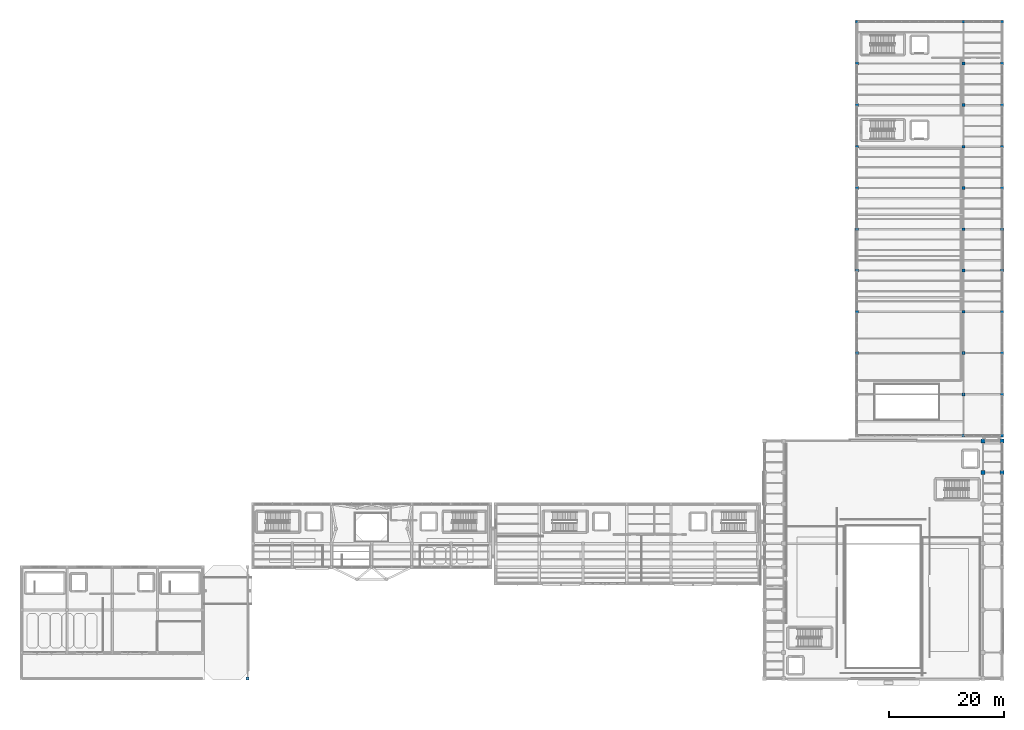
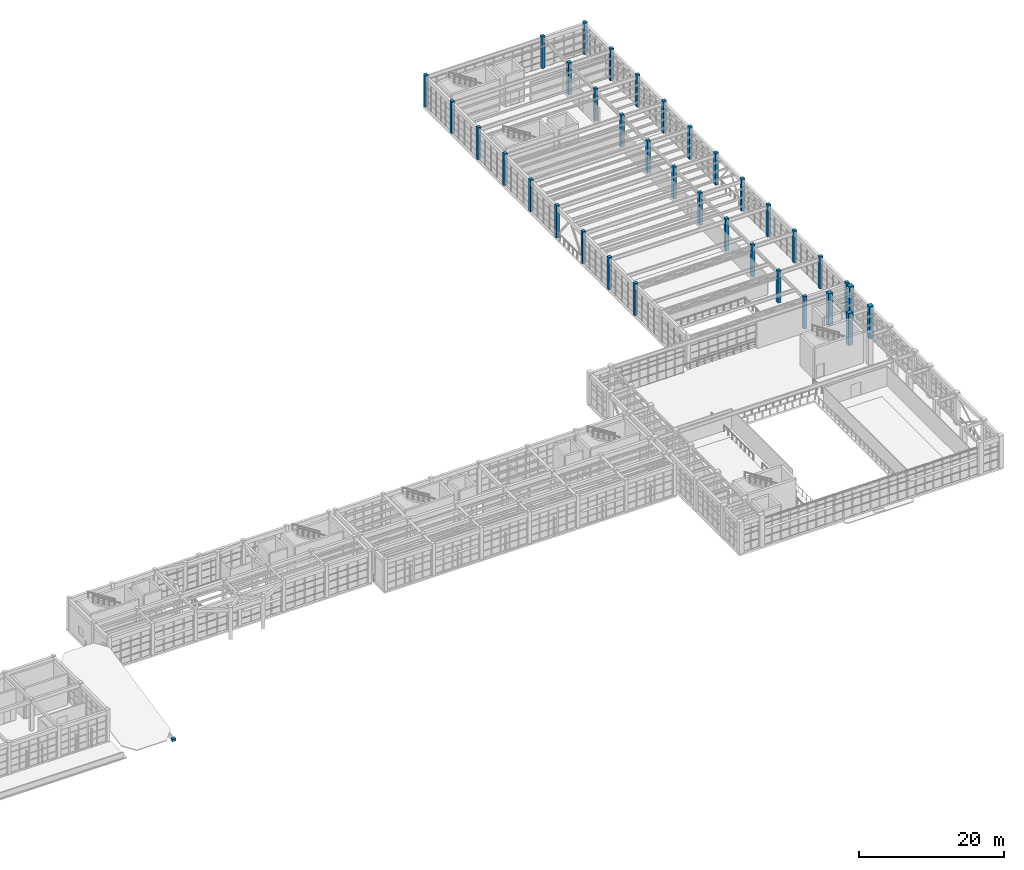
# One storey, part 2 of 103: 36 columns.
"""IFC4 building model written with IfcOpenShell, lengths in metres."""

from ifc_helpers import new_model, si_unit, direction, frame, origin, origin_2d, place, context, subcontext, project, spatial, rectangle, extrude, material, material_profile, profile_set, type_object, element, save


model = new_model("IFC4")

# Units and contexts
model_context = context("Model", 3, precision=1e-05, world=origin(), true_north=direction((0.0, 1.0)))
body_context = subcontext(model_context, "Body", "Model", "MODEL_VIEW")
ifc_project = project(units=[si_unit("LENGTHUNIT", "METRE"), si_unit("AREAUNIT", "SQUARE_METRE"), si_unit("VOLUMEUNIT", "CUBIC_METRE"), si_unit("PLANEANGLEUNIT", "RADIAN"), si_unit("MASSUNIT", "GRAM", prefix="KILO")], contexts=[model_context])

# Site, building, storey
site_placement = place(None, origin())
site = spatial("IfcSite", under=ifc_project, at=site_placement, CompositionType="ELEMENT")
building_placement = place(site_placement, origin())
building = spatial("IfcBuilding", under=site, at=building_placement, Name="Candilejo Ridge Gondola Terminal", CompositionType="ELEMENT")
storey_placement = place(building_placement, frame((0.0, 0.0, 9.0)))
storey = spatial("IfcBuildingStorey", under=building, at=storey_placement, Name="L02", CompositionType="ELEMENT", Elevation=9.0)

# Columns
ifc_material_1 = material(Name="Concrete f'c 35 MPa (C35/45)", Category="concrete")
ifc_material_profile_1 = material_profile(ifc_material_1, rectangle(XDim=0.5, YDim=0.5, at=origin_2d()))
ifc_profile_set_1 = profile_set([ifc_material_profile_1], Name="Concrete f'c 35 MPa (C35/45)")
column_type_1 = type_object("IfcColumnType", Name="STR-COL-RC500", PredefinedType="COLUMN", material=ifc_profile_set_1)
for number, where, z_axis, x_axis, name in (
    (1, (150.0, 63.050048828125, 0.0), (0.0, 0.0, 1.0), (1.0, 0.0, 0.0), "Column V5 L02 X23-Y12"),
    (2, (150.0, 70.25, 0.0), (0.0, 0.0, 1.0), (1.0, 0.0, 0.0), "Column V5 L02 X23-Y13"),
    (3, (150.0, 77.449951171875, 0.0), (0.0, 0.0, 1.0), (1.0, 0.0, 0.0), "Column V5 L02 X23-Y14"),
    (4, (150.0, 84.64990234375, 0.0), (0.0, 0.0, 1.0), (1.0, 0.0, 0.0), "Column V5 L02 X23-Y15"),
    (5, (150.0, 91.85009765625, 0.0), (0.0, 0.0, 1.0), (1.0, 0.0, 0.0), "Column V5 L02 X23-Y16"),
    (6, (150.0, 99.050048828125, 0.0), (0.0, 0.0, 1.0), (1.0, 0.0, 0.0), "Column V5 L02 X23-Y17"),
    (7, (150.0, 106.300048828125, 0.0), (0.0, 0.0, 1.0), (1.0, 0.0, 0.0), "Column V5 L02 X23-Y18"),
    (8, (150.0, 113.550048828125, 0.0), (0.0, 0.0, 1.0), (1.0, 0.0, 0.0), "Column V5 L02 X23-Y19"),
    (9, (150.0, 120.85009765625, 0.0), (0.0, 0.0, 1.0), (1.0, 0.0, 0.0), "Column V5 L02 X23-Y20"),
    (10, (168.60009765625, 48.64990234375, 0.0), (0.0, 0.0, 1.0), (1.0, 0.0, 0.0), "Column V5 L02 X25-Y10"),
    (11, (168.60009765625, 55.85009765625, 0.0), (0.0, 0.0, 1.0), (1.0, 0.0, 0.0), "Column V5 L02 X25-Y11"),
    (12, (168.60009765625, 63.050048828125, 0.0), (0.0, 0.0, 1.0), (1.0, 0.0, 0.0), "Column V5 L02 X25-Y12"),
    (13, (168.60009765625, 70.25, 0.0), (0.0, 0.0, 1.0), (1.0, 0.0, 0.0), "Column V5 L02 X25-Y13"),
    (14, (168.60009765625, 77.449951171875, 0.0), (0.0, 0.0, 1.0), (1.0, 0.0, 0.0), "Column V5 L02 X25-Y14"),
    (15, (168.60009765625, 84.64990234375, 0.0), (0.0, 0.0, 1.0), (1.0, 0.0, 0.0), "Column V5 L02 X25-Y15"),
    (16, (168.60009765625, 91.85009765625, 0.0), (0.0, 0.0, 1.0), (1.0, 0.0, 0.0), "Column V5 L02 X25-Y16"),
    (17, (168.60009765625, 99.050048828125, 0.0), (0.0, 0.0, 1.0), (1.0, 0.0, 0.0), "Column V5 L02 X25-Y17"),
    (18, (168.60009765625, 106.300048828125, 0.0), (0.0, 0.0, 1.0), (1.0, 0.0, 0.0), "Column V5 L02 X25-Y18"),
    (19, (168.60009765625, 113.550048828125, 0.0), (0.0, 0.0, 1.0), (1.0, 0.0, 0.0), "Column V5 L02 X25-Y19"),
    (20, (168.60009765625, 120.85009765625, 0.0), (0.0, 0.0, 1.0), (1.0, 0.0, 0.0), "Column V5 L02 X25-Y20"),
    (21, (175.300048828125, 48.64990234375, 0.0), (0.0, 0.0, 1.0), (1.0, 0.0, 0.0), "Column V5 L02 X27-Y10"),
    (22, (175.300048828125, 55.85009765625, 0.0), (0.0, 0.0, 1.0), (1.0, 0.0, 0.0), "Column V5 L02 X27-Y11"),
    (23, (175.300048828125, 63.050048828125, 0.0), (0.0, 0.0, 1.0), (1.0, 0.0, 0.0), "Column V5 L02 X27-Y12"),
    (24, (175.300048828125, 70.25, 0.0), (0.0, 0.0, 1.0), (1.0, 0.0, 0.0), "Column V5 L02 X27-Y13"),
    (25, (175.300048828125, 77.449951171875, 0.0), (0.0, 0.0, 1.0), (1.0, 0.0, 0.0), "Column V5 L02 X27-Y14"),
    (26, (175.300048828125, 84.64990234375, 0.0), (0.0, 0.0, 1.0), (1.0, 0.0, 0.0), "Column V5 L02 X27-Y15"),
    (27, (175.300048828125, 91.85009765625, 0.0), (0.0, 0.0, 1.0), (1.0, 0.0, 0.0), "Column V5 L02 X27-Y16"),
    (28, (175.300048828125, 99.050048828125, 0.0), (0.0, 0.0, 1.0), (1.0, 0.0, 0.0), "Column V5 L02 X27-Y17"),
    (29, (175.300048828125, 106.300048828125, 0.0), (0.0, 0.0, 1.0), (1.0, 0.0, 0.0), "Column V5 L02 X27-Y18"),
    (30, (175.300048828125, 113.550048828125, 0.0), (0.0, 0.0, 1.0), (1.0, 0.0, 0.0), "Column V5 L02 X27-Y19"),
    (31, (175.300048828125, 120.85009765625, 0.0), (0.0, 0.0, 1.0), (1.0, 0.0, 0.0), "Column V5 L02 X27-Y20"),
):
    element("IfcColumn", number, at=place(storey_placement, frame(where, z_axis=z_axis, x_axis=x_axis)), inside=storey, type_object=column_type_1, Name=name, PredefinedType="COLUMN", context=body_context, shape_type="SweptSolid", body=[
        extrude(rectangle(XDim=0.5, YDim=0.5, at=origin_2d()), origin(), (0.0, 0.0, 1.0), 5.39990234375),
    ])
column_placement = place(storey_placement, frame((43.699951171875, 6.300048828125, 0.0), z_axis=(0.0, 0.0, 1.0), x_axis=(1.0, 0.0, 0.0)))
element("IfcColumn", 32, at=column_placement, inside=storey, type_object=column_type_1, Name="Roof ridge column RF-V1-STEP-01-S", PredefinedType="COLUMN", context=body_context, shape_type="SweptSolid", body=[
    extrude(rectangle(XDim=0.5, YDim=0.5, at=origin_2d()), origin(), (0.0, 0.0, 1.0), 0.4326171875),
])
ifc_material_2 = material(Name="Concrete f'c 35 MPa (C35/45)", Category="concrete")
ifc_material_profile_2 = material_profile(ifc_material_2, rectangle(XDim=0.699951171875, YDim=0.699951171875, at=origin_2d()))
ifc_profile_set_2 = profile_set([ifc_material_profile_2], Name="Concrete f'c 35 MPa (C35/45)")
column_type_2 = type_object("IfcColumnType", Name="STR-COL-RC700", PredefinedType="COLUMN", material=ifc_profile_set_2)
for number, where, z_axis, x_axis, name in (
    (33, (172.0, 42.199951171875, 0.0), (0.0, 0.0, 1.0), (1.0, 0.0, 0.0), "Column V4 L02 X26-Y08"),
    (34, (172.0, 47.699951171875, 0.0), (0.0, 0.0, 1.0), (1.0, 0.0, 0.0), "Column V4 L02 X26-Y09"),
    (35, (175.300048828125, 42.199951171875, 0.0), (0.0, 0.0, 1.0), (1.0, 0.0, 0.0), "Column V4 L02 X27-Y08"),
    (36, (175.300048828125, 47.699951171875, 0.0), (0.0, 0.0, 1.0), (1.0, 0.0, 0.0), "Column V4 L02 X27-Y09"),
):
    element("IfcColumn", number, at=place(storey_placement, frame(where, z_axis=z_axis, x_axis=x_axis)), inside=storey, type_object=column_type_2, Name=name, PredefinedType="COLUMN", context=body_context, shape_type="SweptSolid", body=[
        extrude(rectangle(XDim=0.699951171875, YDim=0.699951171875, at=origin_2d()), origin(), (0.0, 0.0, 1.0), 5.39990234375),
    ])

save(model, "model.ifc")
